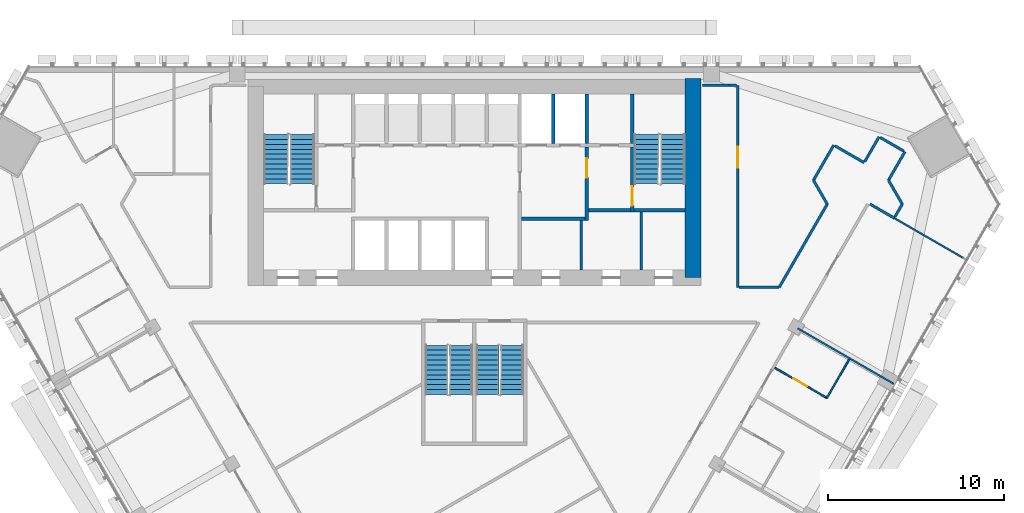
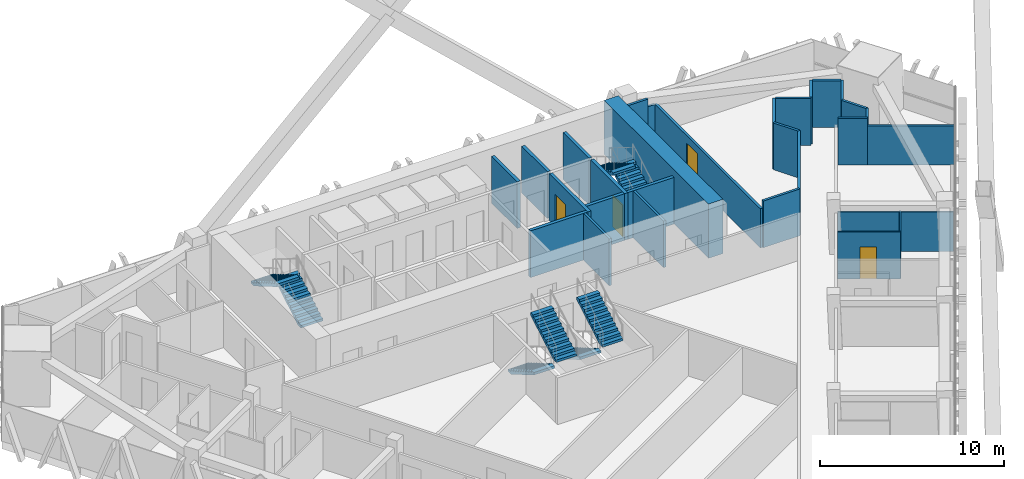
# One storey, part 15 of 19: 29 walls, 8 stair flights, 4 doors, 4 openings, 4 elements without a shape of their own.
"""IFC4 building model written with IfcOpenShell, lengths in metres."""

from ifc_helpers import new_model, si_unit, direction, frame, frame_2d, origin, place, context, subcontext, project, spatial, polyline, rectangle, outline, extrude, material, layer, layer_set, type_object, element, fill, aggregate, save


model = new_model("IFC4")

# Units and contexts
model_context = context("Model", 3, precision=1e-05, world=origin(), true_north=direction((0.0, 1.0)))
body_context = subcontext(model_context, "Body", "Model", "MODEL_VIEW")
ifc_project = project(units=[si_unit("LENGTHUNIT", "METRE"), si_unit("AREAUNIT", "SQUARE_METRE"), si_unit("VOLUMEUNIT", "CUBIC_METRE"), si_unit("PLANEANGLEUNIT", "RADIAN"), si_unit("MASSUNIT", "GRAM", prefix="KILO")], contexts=[model_context])

# Site, building, storey
site_placement = place(None, origin())
site = spatial("IfcSite", under=ifc_project, at=site_placement, CompositionType="ELEMENT")
building_placement = place(site_placement, origin())
building = spatial("IfcBuilding", under=site, at=building_placement, Name="Altiplano Prism Tower", CompositionType="ELEMENT")
storey_placement = place(building_placement, frame((0.0, 0.0, 70.199951171875)))
storey = spatial("IfcBuildingStorey", under=building, at=storey_placement, Name="L17", CompositionType="ELEMENT", Elevation=70.199951171875)

# Walls
ifc_material_1 = material(Name="Concrete C70/85", Category="concrete")
ifc_layer_1 = layer(ifc_material_1, 0.89990234375)
ifc_layer_set_1 = layer_set([ifc_layer_1], Name="Concrete C70/85")
wall_type_1 = type_object("IfcWallType", Name="Core wall 900", PredefinedType="SHEAR", material=ifc_layer_set_1)
wall_1_placement = place(storey_placement, frame((97.449951171875, 92.949951171875, 0.0), z_axis=(0.0, 0.0, 1.0), x_axis=(0.0, 1.0, 0.0)))
element("IfcWall", 1, at=wall_1_placement, inside=storey, type_object=wall_type_1, Name="Core wall E L17", PredefinedType="SHEAR", context=body_context, shape_type="SweptSolid", body=[
    extrude(rectangle(XDim=11.35009765625, YDim=0.89990234375, at=frame_2d((5.675048828125, 0.0))), origin(), (0.0, 0.0, 1.0), 3.60009765625),
])
ifc_material_2 = material(Name="Plasterboard on steel stud", Category="steel")
ifc_layer_2 = layer(ifc_material_2, 0.10009765625)
ifc_layer_set_2 = layer_set([ifc_layer_2], Name="Plasterboard on steel stud")
wall_type_2 = type_object("IfcWallType", Name="Partition 100 unit", PredefinedType="PARTITIONING", material=ifc_layer_set_2)
wall_2_placement = place(storey_placement, frame((106.353515625, 88.310546875, 0.0), z_axis=(0.0, 0.0, 1.0), x_axis=(-0.499990435942, -0.866030925526, 0.0)))
element("IfcWall", 2, at=wall_2_placement, inside=storey, type_object=wall_type_2, Name="Partition P02 L17 071", PredefinedType="PARTITIONING", context=body_context, shape_type="SweptSolid", body=[
    extrude(rectangle(XDim=2.5498046875, YDim=0.10009765625, at=frame_2d((1.27490234375, 0.0))), origin(), (0.0, 0.0, 1.0), 2.699951171875),
])

# Wall, opening, door
wall_3_placement = place(storey_placement, frame((105.07861328125, 86.102294921875, 0.0), z_axis=(0.0, 0.0, 1.0), x_axis=(-0.866032454348, 0.499987787867, 0.0)))
wall_3 = element("IfcWall", 3, at=wall_3_placement, inside=storey, type_object=wall_type_2, Name="Partition P02 L17 072", PredefinedType="PARTITIONING", context=body_context, shape_type="SweptSolid", body=[
    extrude(rectangle(XDim=3.4248046875, YDim=0.10009765625, at=frame_2d((1.71240234375, 0.0))), origin(), (0.0, 0.0, 1.0), 3.10009765625),
])
opening_1_placement = place(wall_3_placement, frame((1.300048828125, 0.0, 0.0)))
opening_1 = element("IfcOpeningElement", 4, at=opening_1_placement, cuts=wall_3, Name="Opening D0673", PredefinedType="OPENING", context=body_context, shape_type="SweptSolid", body=[
    extrude(rectangle(XDim=0.89990234375, YDim=2.10009765625, at=frame_2d((0.449951171875, 1.050048828125))), frame((0.0, 0.060546875, 0.0), z_axis=(0.0, -1.0, 0.0), x_axis=(1.0, 0.0, 0.0)), (0.0, 0.0, 1.0), 0.12109375),
])
ifc_material_3 = material(Name="Timber", Category="wood")
door_type_1 = type_object("IfcDoorType", Name="Accessible ensuite door 900 x 2100", OperationType="NOTDEFINED", PredefinedType="NOTDEFINED", material=ifc_material_3)
door_1_placement = place(opening_1_placement, origin())
door_1 = element("IfcDoor", 5, at=door_1_placement, inside=storey, type_object=door_type_1, Name="Door D0673", OperationType="SINGLE_SWING_RIGHT", OverallHeight=2.10009765625, OverallWidth=0.89990234375, PredefinedType="NOTDEFINED", context=body_context, shape_type="SweptSolid", body=[
    extrude(rectangle(XDim=0.89990234375, YDim=2.10009765625, at=frame_2d((0.449951171875, 1.050048828125))), frame((0.0, 0.02490234375, 0.0), z_axis=(0.0, -1.0, 0.0), x_axis=(1.0, 0.0, 0.0)), (0.0, 0.0, 1.0), 0.050048828125),
])
fill(opening_1, door_1)

# Walls
ifc_layer_3 = layer(ifc_material_2, 0.10009765625)
ifc_layer_set_3 = layer_set([ifc_layer_3], Name="Plasterboard on steel stud")
wall_type_3 = type_object("IfcWallType", Name="Partition 100 wet", PredefinedType="PARTITIONING", material=ifc_layer_set_3)
wall_4_placement = place(storey_placement, frame((108.89013671875, 86.90380859375, 0.0), z_axis=(0.0, 0.0, 1.0), x_axis=(-0.866025537322, 0.499999768706, 0.0)))
element("IfcWall", 6, at=wall_4_placement, inside=storey, type_object=wall_type_3, Name="Partition P03 L17 073", PredefinedType="PARTITIONING", context=body_context, shape_type="SweptSolid", body=[
    extrude(rectangle(XDim=6.3251953125, YDim=0.10009765625, at=frame_2d((3.16259765625, 0.0))), origin(), (0.0, 0.0, 1.0), 2.60009765625),
])
wall_5_placement = place(storey_placement, frame((113.001708984375, 93.985107421875, 0.0), z_axis=(0.0, 0.0, 1.0), x_axis=(-0.866015897305, 0.500016465344, 0.0)))
element("IfcWall", 7, at=wall_5_placement, inside=storey, type_object=wall_type_3, Name="Partition P03 L17 074", PredefinedType="PARTITIONING", context=body_context, shape_type="SweptSolid", body=[
    extrude(rectangle(XDim=4.719970703125, YDim=0.10009765625, at=frame_2d((2.35986328125, 0.0))), origin(), (0.0, 0.0, 1.0), 2.60009765625),
])
ifc_layer_4 = layer(ifc_material_2, 0.14990234375)
ifc_layer_set_4 = layer_set([ifc_layer_4], Name="Plasterboard on steel stud")
wall_type_4 = type_object("IfcWallType", Name="Partition 150 corridor", PredefinedType="PARTITIONING", material=ifc_layer_set_4)
wall_6_placement = place(storey_placement, frame((107.5380859375, 97.1396484375, 0.0), z_axis=(0.0, 0.0, 1.0), x_axis=(0.866021328928, -0.500007057792, 0.0)))
element("IfcWall", 8, at=wall_6_placement, inside=storey, type_object=wall_type_4, Name="Partition P06 L17 013", PredefinedType="PARTITIONING", context=body_context, shape_type="SweptSolid", body=[
    extrude(rectangle(XDim=1.60888671875, YDim=0.14990234375, at=frame_2d((0.804443359375, 0.0))), origin(), (0.0, 0.0, 1.0), 3.10009765625),
])
wall_7_placement = place(storey_placement, frame((108.951416015625, 96.41015625, 0.0), z_axis=(0.0, 0.0, 1.0), x_axis=(0.499973348067, 0.866040790738, 0.0)))
element("IfcWall", 9, at=wall_7_placement, inside=storey, type_object=wall_type_4, Name="Partition P06 L17 016", PredefinedType="PARTITIONING", context=body_context, shape_type="SweptSolid", body=[
    extrude(rectangle(XDim=0.84228515625, YDim=0.14990234375, at=frame_2d((0.421142578125, 0.0))), origin(), (0.0, 0.0, 1.0), 3.10009765625),
])
wall_8_placement = place(storey_placement, frame((109.37255859375, 97.1396484375, 0.0), z_axis=(0.0, 0.0, 1.0), x_axis=(-0.500000501253, 0.866025114386, 0.0)))
element("IfcWall", 10, at=wall_8_placement, inside=storey, type_object=wall_type_4, Name="Partition P06 L17 017", PredefinedType="PARTITIONING", context=body_context, shape_type="SweptSolid", body=[
    extrude(rectangle(XDim=1.57080078125, YDim=0.14990234375, at=frame_2d((0.785400390625, 0.0))), origin(), (0.0, 0.0, 1.0), 3.10009765625),
])
wall_9_placement = place(storey_placement, frame((108.587158203125, 98.5, 0.0), z_axis=(0.0, 0.0, 1.0), x_axis=(0.499951854219, 0.86605319898, 0.0)))
element("IfcWall", 11, at=wall_9_placement, inside=storey, type_object=wall_type_4, Name="Partition P06 L17 018", PredefinedType="PARTITIONING", context=body_context, shape_type="SweptSolid", body=[
    extrude(rectangle(XDim=1.873291015625, YDim=0.14990234375, at=frame_2d((0.9365234375, 0.0))), origin(), (0.0, 0.0, 1.0), 3.10009765625),
])
wall_10_placement = place(storey_placement, frame((109.458740234375, 100.15966796875, 0.0), z_axis=(0.0, 0.0, 1.0), x_axis=(-0.865975732936, 0.500086022567, 0.0)))
element("IfcWall", 12, at=wall_10_placement, inside=storey, type_object=wall_type_4, Name="Partition P06 L17 019", PredefinedType="PARTITIONING", context=body_context, shape_type="SweptSolid", body=[
    extrude(rectangle(XDim=1.550048828125, YDim=0.14990234375, at=frame_2d((0.77490234375, 0.0))), origin(), (0.0, 0.0, 1.0), 3.10009765625),
])
wall_11_placement = place(storey_placement, frame((108.051513671875, 100.97216796875, 0.0), z_axis=(0.0, 0.0, 1.0), x_axis=(-0.500017246033, -0.866015446554, 0.0)))
element("IfcWall", 13, at=wall_11_placement, inside=storey, type_object=wall_type_4, Name="Partition P06 L17 020", PredefinedType="PARTITIONING", context=body_context, shape_type="SweptSolid", body=[
    extrude(rectangle(XDim=1.625, YDim=0.14990234375, at=frame_2d((0.8125, 0.0))), origin(), (0.0, 0.0, 1.0), 3.10009765625),
])
wall_12_placement = place(storey_placement, frame((107.201416015625, 99.5, 0.0), z_axis=(0.0, 0.0, 1.0), x_axis=(-0.866033512162, 0.499985955615, 0.0)))
element("IfcWall", 14, at=wall_12_placement, inside=storey, type_object=wall_type_4, Name="Partition P06 L17 021", PredefinedType="PARTITIONING", context=body_context, shape_type="SweptSolid", body=[
    extrude(rectangle(XDim=1.9248046875, YDim=0.14990234375, at=frame_2d((0.96240234375, 0.0))), origin(), (0.0, 0.0, 1.0), 3.10009765625),
])
wall_13_placement = place(storey_placement, frame((105.469482421875, 100.5, 0.0), z_axis=(0.0, 0.0, 1.0), x_axis=(-0.500027479704, -0.866009537788, 0.0)))
element("IfcWall", 15, at=wall_13_placement, inside=storey, type_object=wall_type_4, Name="Partition P06 L17 022", PredefinedType="PARTITIONING", context=body_context, shape_type="SweptSolid", body=[
    extrude(rectangle(XDim=2.309326171875, YDim=0.14990234375, at=frame_2d((1.15478515625, 0.0))), origin(), (0.0, 0.0, 1.0), 3.10009765625),
])
wall_14_placement = place(storey_placement, frame((104.314697265625, 98.5, 0.0), z_axis=(0.0, 0.0, 1.0), x_axis=(0.500000501253, -0.866025114386, 0.0)))
element("IfcWall", 16, at=wall_14_placement, inside=storey, type_object=wall_type_4, Name="Partition P06 L17 023", PredefinedType="PARTITIONING", context=body_context, shape_type="SweptSolid", body=[
    extrude(rectangle(XDim=1.57080078125, YDim=0.14990234375, at=frame_2d((0.785400390625, 0.0))), origin(), (0.0, 0.0, 1.0), 3.10009765625),
])
wall_15_placement = place(storey_placement, frame((105.10009765625, 97.1396484375, 0.0), z_axis=(0.0, 0.0, 1.0), x_axis=(-0.499977311951, -0.866038502339, 0.0)))
element("IfcWall", 17, at=wall_15_placement, inside=storey, type_object=wall_type_4, Name="Partition P06 L17 024", PredefinedType="PARTITIONING", context=body_context, shape_type="SweptSolid", body=[
    extrude(rectangle(XDim=5.472900390625, YDim=0.14990234375, at=frame_2d((2.736328125, 0.0))), origin(), (0.0, 0.0, 1.0), 3.10009765625),
])
wall_16_placement = place(storey_placement, frame((102.36376953125, 92.39990234375, 0.0), z_axis=(0.0, 0.0, 1.0), x_axis=(-1.0, 0.0, 0.0)))
element("IfcWall", 18, at=wall_16_placement, inside=storey, type_object=wall_type_4, Name="Partition P06 L17 025", PredefinedType="PARTITIONING", context=body_context, shape_type="SweptSolid", body=[
    extrude(rectangle(XDim=2.288818359375, YDim=0.14990234375, at=frame_2d((1.14453125, 0.0))), origin(), (0.0, 0.0, 1.0), 3.10009765625),
])

# Wall, opening, door
wall_17_placement = place(storey_placement, frame((100.0, 92.39990234375, 0.0), z_axis=(0.0, 0.0, 1.0), x_axis=(0.0, 1.0, 0.0)))
wall_17 = element("IfcWall", 19, at=wall_17_placement, inside=storey, type_object=wall_type_4, Name="Partition P06 L17 026", PredefinedType="PARTITIONING", context=body_context, shape_type="SweptSolid", body=[
    extrude(rectangle(XDim=11.5, YDim=0.14990234375, at=frame_2d((5.75, 0.0))), origin(), (0.0, 0.0, 1.0), 2.60009765625),
])
opening_2_placement = place(wall_17_placement, frame((6.81591796875, 0.0, 0.0)))
opening_2 = element("IfcOpeningElement", 20, at=opening_2_placement, cuts=wall_17, Name="Opening D0676", PredefinedType="OPENING", context=body_context, shape_type="SweptSolid", body=[
    extrude(rectangle(XDim=1.199951171875, YDim=2.10009765625, at=frame_2d((0.60009765625, 1.050048828125))), frame((0.0, 0.08544921875, 0.0), z_axis=(0.0, -1.0, 0.0), x_axis=(1.0, 0.0, 0.0)), (0.0, 0.0, 1.0), 0.1708984375),
])
door_type_2 = type_object("IfcDoorType", Name="Shared room door 1200 x 2100", OperationType="NOTDEFINED", PredefinedType="NOTDEFINED", material=ifc_material_3)
door_2_placement = place(opening_2_placement, origin())
door_2 = element("IfcDoor", 21, at=door_2_placement, inside=storey, type_object=door_type_2, Name="Door D0676", OperationType="SINGLE_SWING_RIGHT", OverallHeight=2.10009765625, OverallWidth=1.199951171875, PredefinedType="NOTDEFINED", context=body_context, shape_type="SweptSolid", body=[
    extrude(rectangle(XDim=1.199951171875, YDim=2.10009765625, at=frame_2d((0.60009765625, 1.050048828125))), frame((0.0, 0.02490234375, 0.0), z_axis=(0.0, -1.0, 0.0), x_axis=(1.0, 0.0, 0.0)), (0.0, 0.0, 1.0), 0.050048828125),
])
fill(opening_2, door_2)

# Walls
wall_18_placement = place(storey_placement, frame((99.925048828125, 103.89990234375, 0.0), z_axis=(0.0, 0.0, 1.0), x_axis=(-1.0, 0.0, 0.0)))
element("IfcWall", 22, at=wall_18_placement, inside=storey, type_object=wall_type_4, Name="Partition P06 L17 027", PredefinedType="PARTITIONING", context=body_context, shape_type="SweptSolid", body=[
    extrude(rectangle(XDim=0.43408203125, YDim=0.14990234375, at=frame_2d((0.217041015625, 0.0))), origin(), (0.0, 0.0, 1.0), 2.60009765625),
])
wall_19_placement = place(storey_placement, frame((99.490966796875, 103.89990234375, 0.0), z_axis=(0.0, 0.0, 1.0), x_axis=(-1.0, 0.0, 0.0)))
element("IfcWall", 23, at=wall_19_placement, inside=storey, type_object=wall_type_4, Name="Partition P06 L17 028", PredefinedType="PARTITIONING", context=body_context, shape_type="SweptSolid", body=[
    extrude(rectangle(XDim=1.490966796875, YDim=0.14990234375, at=frame_2d((0.74560546875, 0.0))), origin(), (0.0, 0.0, 1.0), 3.10009765625),
])
ifc_material_4 = material(Name="Fire-rated gypsum board partition")
ifc_layer_5 = layer(ifc_material_4, 0.14990234375)
ifc_layer_set_5 = layer_set([ifc_layer_5], Name="Fire-rated gypsum board partition")
wall_type_5 = type_object("IfcWallType", Name="Room partition 150", PredefinedType="PARTITIONING", material=ifc_layer_set_5)
wall_20_placement = place(storey_placement, frame((91.10009765625, 93.39990234375, 0.0), z_axis=(0.0, 0.0, 1.0), x_axis=(0.0, 1.0, 0.0)))
element("IfcWall", 24, at=wall_20_placement, inside=storey, type_object=wall_type_5, Name="Room partition L17", PredefinedType="PARTITIONING", context=body_context, shape_type="SweptSolid", body=[
    extrude(rectangle(XDim=2.800048828125, YDim=0.14990234375, at=frame_2d((1.39990234375, 0.0))), origin(), (0.0, 0.0, 1.0), 3.10009765625),
])
wall_21_placement = place(storey_placement, frame((94.5, 93.39990234375, 0.0), z_axis=(0.0, 0.0, 1.0), x_axis=(0.0, 1.0, 0.0)))
element("IfcWall", 25, at=wall_21_placement, inside=storey, type_object=wall_type_5, Name="Room partition L17", PredefinedType="PARTITIONING", context=body_context, shape_type="SweptSolid", body=[
    extrude(rectangle(XDim=3.300048828125, YDim=0.14990234375, at=frame_2d((1.64990234375, 0.0))), origin(), (0.0, 0.0, 1.0), 3.10009765625),
])
ifc_material_5 = material(Name="Concrete C60/75", Category="concrete")
ifc_layer_6 = layer(ifc_material_5, 0.199951171875)
ifc_layer_set_6 = layer_set([ifc_layer_6], Name="Concrete C60/75")
wall_type_6 = type_object("IfcWallType", Name="Shaft wall 200", PredefinedType="SOLIDWALL", material=ifc_layer_set_6)
for number, where, z_axis, x_axis, name in (
    (26, (89.5, 100.60009765625, 0.0), (0.0, 0.0, 1.0), (0.0, 1.0, 0.0), "Shaft wall L17"),
    (27, (91.39990234375, 100.60009765625, 0.0), (0.0, 0.0, 1.0), (0.0, 1.0, 0.0), "Shaft wall L17"),
):
    element("IfcWall", number, at=place(storey_placement, frame(where, z_axis=z_axis, x_axis=x_axis)), inside=storey, type_object=wall_type_6, Name=name, PredefinedType="SOLIDWALL", context=body_context, shape_type="SweptSolid", body=[
        extrude(rectangle(XDim=2.7998046875, YDim=0.199951171875, at=frame_2d((1.39990234375, 0.0))), origin(), (0.0, 0.0, 1.0), 3.10009765625),
    ])

# Wall, opening, door
ifc_layer_7 = layer(ifc_material_5, 0.199951171875)
ifc_layer_set_7 = layer_set([ifc_layer_7], Name="Concrete C60/75")
wall_type_7 = type_object("IfcWallType", Name="Stair wall 200", PredefinedType="SOLIDWALL", material=ifc_layer_set_7)
wall_22_placement = place(storey_placement, frame((94.0, 96.699951171875, 0.0), z_axis=(0.0, 0.0, 1.0), x_axis=(0.0, 1.0, 0.0)))
wall_22 = element("IfcWall", 28, at=wall_22_placement, inside=storey, type_object=wall_type_7, Name="Stair wall L17", PredefinedType="SOLIDWALL", context=body_context, shape_type="SweptSolid", body=[
    extrude(rectangle(XDim=3.699951171875, YDim=0.199951171875, at=frame_2d((1.85009765625, 0.0))), origin(), (0.0, 0.0, 1.0), 3.10009765625),
])
opening_3_placement = place(wall_22_placement, frame((0.35009765625, 0.0, 0.0)))
opening_3 = element("IfcOpeningElement", 29, at=opening_3_placement, cuts=wall_22, Name="Opening D2815", PredefinedType="OPENING", context=body_context, shape_type="SweptSolid", body=[
    extrude(rectangle(XDim=1.10009765625, YDim=2.10009765625, at=frame_2d((0.550048828125, 1.050048828125))), frame((0.0, 0.1103515625, 0.0), z_axis=(0.0, -1.0, 0.0), x_axis=(1.0, 0.0, 0.0)), (0.0, 0.0, 1.0), 0.220947265625),
])
ifc_material_6 = material(Name="Fire-rated steel door", Category="steel")
door_type_3 = type_object("IfcDoorType", Name="Stair fire door 1100 x 2100", OperationType="NOTDEFINED", PredefinedType="NOTDEFINED", material=ifc_material_6)
door_3_placement = place(opening_3_placement, origin())
door_3 = element("IfcDoor", 30, at=door_3_placement, inside=storey, type_object=door_type_3, Name="Stair fire door D2815", OperationType="SINGLE_SWING_LEFT", OverallHeight=2.10009765625, OverallWidth=1.10009765625, PredefinedType="NOTDEFINED", context=body_context, shape_type="SweptSolid", body=[
    extrude(rectangle(XDim=1.10009765625, YDim=2.10009765625, at=frame_2d((0.550048828125, 1.050048828125))), frame((0.0, 0.02490234375, 0.0), z_axis=(0.0, -1.0, 0.0), x_axis=(1.0, 0.0, 0.0)), (0.0, 0.0, 1.0), 0.050048828125),
])
fill(opening_3, door_3)

# Walls
wall_23_placement = place(storey_placement, frame((94.10009765625, 96.800048828125, 0.0), z_axis=(0.0, 0.0, 1.0), x_axis=(1.0, 0.0, 0.0)))
element("IfcWall", 31, at=wall_23_placement, inside=storey, type_object=wall_type_7, Name="Stair wall L17", PredefinedType="SOLIDWALL", context=body_context, shape_type="SweptSolid", body=[
    extrude(rectangle(XDim=2.89990234375, YDim=0.199951171875, at=frame_2d((1.449951171875, 0.0))), origin(), (0.0, 0.0, 1.0), 3.10009765625),
])
wall_24_placement = place(storey_placement, frame((94.0, 100.60009765625, 0.0), z_axis=(0.0, 0.0, 1.0), x_axis=(0.0, 1.0, 0.0)))
element("IfcWall", 32, at=wall_24_placement, inside=storey, type_object=wall_type_7, Name="Stair wall L17", PredefinedType="SOLIDWALL", context=body_context, shape_type="SweptSolid", body=[
    extrude(rectangle(XDim=2.7998046875, YDim=0.199951171875, at=frame_2d((1.39990234375, 0.0))), origin(), (0.0, 0.0, 1.0), 3.10009765625),
])
ifc_layer_8 = layer(ifc_material_5, 0.199951171875)
ifc_layer_set_8 = layer_set([ifc_layer_8], Name="Concrete C60/75")
wall_type_8 = type_object("IfcWallType", Name="Vestibule wall 200", PredefinedType="PARTITIONING", material=ifc_layer_set_8)
wall_25_placement = place(storey_placement, frame((87.699951171875, 96.300048828125, 0.0), z_axis=(0.0, 0.0, 1.0), x_axis=(1.0, 0.0, 0.0)))
element("IfcWall", 33, at=wall_25_placement, inside=storey, type_object=wall_type_8, Name="Vestibule wall L17", PredefinedType="PARTITIONING", context=body_context, shape_type="SweptSolid", body=[
    extrude(rectangle(XDim=3.60009765625, YDim=0.199951171875, at=frame_2d((1.800048828125, 0.0))), origin(), (0.0, 0.0, 1.0), 3.10009765625),
])

# Wall, opening, door
wall_26_placement = place(storey_placement, frame((91.39990234375, 96.199951171875, 0.0), z_axis=(0.0, 0.0, 1.0), x_axis=(0.0, 1.0, 0.0)))
wall_26 = element("IfcWall", 34, at=wall_26_placement, inside=storey, type_object=wall_type_8, Name="Vestibule wall L17", PredefinedType="PARTITIONING", context=body_context, shape_type="SweptSolid", body=[
    extrude(rectangle(XDim=4.199951171875, YDim=0.199951171875, at=frame_2d((2.10009765625, 0.0))), origin(), (0.0, 0.0, 1.0), 3.10009765625),
])
opening_4_placement = place(wall_26_placement, frame((2.449951171875, 0.0, 0.0)))
opening_4 = element("IfcOpeningElement", 35, at=opening_4_placement, cuts=wall_26, Name="Opening D2818", PredefinedType="OPENING", context=body_context, shape_type="SweptSolid", body=[
    extrude(rectangle(XDim=1.10009765625, YDim=2.10009765625, at=frame_2d((0.550048828125, 1.050048828125))), frame((0.0, 0.1103515625, 0.0), z_axis=(0.0, -1.0, 0.0), x_axis=(1.0, 0.0, 0.0)), (0.0, 0.0, 1.0), 0.220947265625),
])
door_type_4 = type_object("IfcDoorType", Name="Vestibule fire door 1100 x 2100", OperationType="NOTDEFINED", PredefinedType="NOTDEFINED", material=ifc_material_6)
door_4_placement = place(opening_4_placement, origin())
door_4 = element("IfcDoor", 36, at=door_4_placement, inside=storey, type_object=door_type_4, Name="Vestibule fire door D2818", OperationType="SINGLE_SWING_LEFT", OverallHeight=2.10009765625, OverallWidth=1.10009765625, PredefinedType="NOTDEFINED", context=body_context, shape_type="SweptSolid", body=[
    extrude(rectangle(XDim=1.10009765625, YDim=2.10009765625, at=frame_2d((0.550048828125, 1.050048828125))), frame((0.0, 0.02490234375, 0.0), z_axis=(0.0, -1.0, 0.0), x_axis=(1.0, 0.0, 0.0)), (0.0, 0.0, 1.0), 0.050048828125),
])
fill(opening_4, door_4)

# Wall
wall_27_placement = place(storey_placement, frame((91.5, 96.800048828125, 0.0), z_axis=(0.0, 0.0, 1.0), x_axis=(1.0, 0.0, 0.0)))
element("IfcWall", 37, at=wall_27_placement, inside=storey, type_object=wall_type_8, Name="Vestibule wall L17", PredefinedType="PARTITIONING", context=body_context, shape_type="SweptSolid", body=[
    extrude(rectangle(XDim=2.39990234375, YDim=0.199951171875, at=frame_2d((1.199951171875, 0.0))), origin(), (0.0, 0.0, 1.0), 3.10009765625),
])

# Stair, stair flights
ifc_material_7 = material(Name="Concrete C40/50", Category="concrete")
stair_type_1 = type_object("IfcStairType", Name="Exit stair 1400", PredefinedType="HALF_TURN_STAIR", material=ifc_material_7)
stair_1_placement = place(storey_placement, origin())
stair_1 = element("IfcStair", 38, at=stair_1_placement, inside=storey, type_object=stair_type_1, Name="L17 Exit Stair 1", PredefinedType="HALF_TURN_STAIR")
stair_flight_type = type_object("IfcStairFlightType", Name="Stair flight concrete 150", PredefinedType="STRAIGHT", material=ifc_material_7)
stair_flight_1_placement = place(storey_placement, frame((75.199951171875, 98.300048828125, 0.0), z_axis=(0.0, 0.0, 1.0), x_axis=(0.0, 1.0, 0.0)))
stair_flight_1 = element("IfcStairFlight", 39, at=stair_flight_1_placement, type_object=stair_flight_type, Name="ST1 flight 1", NumberOfRisers=11, NumberOfTreads=10, PredefinedType="STRAIGHT", RiserHeight=0.163636364, TreadLength=0.28, context=body_context, shape_type="SweptSolid", body=[
    extrude(outline(polyline([(0.0, 0.0), (0.0, 0.16357421875), (0.280029296875, 0.16357421875), (0.280029296875, 0.327392578125), (0.56005859375, 0.327392578125), (0.56005859375, 0.490966796875), (0.840087890625, 0.490966796875), (0.840087890625, 0.654541015625), (1.1201171875, 0.654541015625), (1.1201171875, 0.818115234375), (1.39990234375, 0.818115234375), (1.39990234375, 0.98193359375), (1.679931640625, 0.98193359375), (1.679931640625, 1.1455078125), (1.9599609375, 1.1455078125), (1.9599609375, 1.30908203125), (2.239990234375, 1.30908203125), (2.239990234375, 1.47265625), (2.52001953125, 1.47265625), (2.52001953125, 1.636474609375), (2.800048828125, 1.636474609375), (2.800048828125, 1.800048828125), (2.800048828125, 1.462646484375), (0.297119140625, 0.0), (0.0, 0.0)])), frame((0.0, 0.699951171875, 0.0), z_axis=(0.0, -1.0, 0.0), x_axis=(1.0, 0.0, 0.0)), (0.0, 0.0, 1.0), 1.39990234375),
])
stair_flight_2_placement = place(storey_placement, frame((73.699951171875, 101.10009765625, 1.800048828125), z_axis=(0.0, 0.0, 1.0), x_axis=(0.0, -1.0, 0.0)))
stair_flight_2 = element("IfcStairFlight", 40, at=stair_flight_2_placement, type_object=stair_flight_type, Name="ST1 flight 2", NumberOfRisers=11, NumberOfTreads=10, PredefinedType="STRAIGHT", RiserHeight=0.163636364, TreadLength=0.28, context=body_context, shape_type="SweptSolid", body=[
    extrude(outline(polyline([(0.0, 0.0), (0.0, 0.16357421875), (0.280029296875, 0.16357421875), (0.280029296875, 0.327392578125), (0.56005859375, 0.327392578125), (0.56005859375, 0.490966796875), (0.840087890625, 0.490966796875), (0.840087890625, 0.654541015625), (1.1201171875, 0.654541015625), (1.1201171875, 0.818115234375), (1.39990234375, 0.818115234375), (1.39990234375, 0.98193359375), (1.679931640625, 0.98193359375), (1.679931640625, 1.1455078125), (1.9599609375, 1.1455078125), (1.9599609375, 1.30908203125), (2.239990234375, 1.30908203125), (2.239990234375, 1.47265625), (2.52001953125, 1.47265625), (2.52001953125, 1.636474609375), (2.800048828125, 1.636474609375), (2.800048828125, 1.800048828125), (2.800048828125, 1.462646484375), (0.297119140625, 0.0), (0.0, 0.0)])), frame((0.0, 0.699951171875, 0.0), z_axis=(0.0, -1.0, 0.0), x_axis=(1.0, 0.0, 0.0)), (0.0, 0.0, 1.0), 1.39990234375),
])
aggregate(stair_1, [stair_flight_1, stair_flight_2])

stair_2_placement = place(storey_placement, origin())
stair_2 = element("IfcStair", 41, at=stair_2_placement, inside=storey, type_object=stair_type_1, Name="L17 Exit Stair 2", PredefinedType="HALF_TURN_STAIR")
stair_flight_3_placement = place(storey_placement, frame((96.300048828125, 98.300048828125, 0.0), z_axis=(0.0, 0.0, 1.0), x_axis=(0.0, 1.0, 0.0)))
stair_flight_3 = element("IfcStairFlight", 42, at=stair_flight_3_placement, type_object=stair_flight_type, Name="ST2 flight 1", NumberOfRisers=11, NumberOfTreads=10, PredefinedType="STRAIGHT", RiserHeight=0.163636364, TreadLength=0.28, context=body_context, shape_type="SweptSolid", body=[
    extrude(outline(polyline([(0.0, 0.0), (0.0, 0.16357421875), (0.280029296875, 0.16357421875), (0.280029296875, 0.327392578125), (0.56005859375, 0.327392578125), (0.56005859375, 0.490966796875), (0.840087890625, 0.490966796875), (0.840087890625, 0.654541015625), (1.1201171875, 0.654541015625), (1.1201171875, 0.818115234375), (1.39990234375, 0.818115234375), (1.39990234375, 0.98193359375), (1.679931640625, 0.98193359375), (1.679931640625, 1.1455078125), (1.9599609375, 1.1455078125), (1.9599609375, 1.30908203125), (2.239990234375, 1.30908203125), (2.239990234375, 1.47265625), (2.52001953125, 1.47265625), (2.52001953125, 1.636474609375), (2.800048828125, 1.636474609375), (2.800048828125, 1.800048828125), (2.800048828125, 1.462646484375), (0.297119140625, 0.0), (0.0, 0.0)])), frame((0.0, 0.699951171875, 0.0), z_axis=(0.0, -1.0, 0.0), x_axis=(1.0, 0.0, 0.0)), (0.0, 0.0, 1.0), 1.39990234375),
])
stair_flight_4_placement = place(storey_placement, frame((94.800048828125, 101.10009765625, 1.800048828125), z_axis=(0.0, 0.0, 1.0), x_axis=(0.0, -1.0, 0.0)))
stair_flight_4 = element("IfcStairFlight", 43, at=stair_flight_4_placement, type_object=stair_flight_type, Name="ST2 flight 2", NumberOfRisers=11, NumberOfTreads=10, PredefinedType="STRAIGHT", RiserHeight=0.163636364, TreadLength=0.28, context=body_context, shape_type="SweptSolid", body=[
    extrude(outline(polyline([(0.0, 0.0), (0.0, 0.16357421875), (0.280029296875, 0.16357421875), (0.280029296875, 0.327392578125), (0.56005859375, 0.327392578125), (0.56005859375, 0.490966796875), (0.840087890625, 0.490966796875), (0.840087890625, 0.654541015625), (1.1201171875, 0.654541015625), (1.1201171875, 0.818115234375), (1.39990234375, 0.818115234375), (1.39990234375, 0.98193359375), (1.679931640625, 0.98193359375), (1.679931640625, 1.1455078125), (1.9599609375, 1.1455078125), (1.9599609375, 1.30908203125), (2.239990234375, 1.30908203125), (2.239990234375, 1.47265625), (2.52001953125, 1.47265625), (2.52001953125, 1.636474609375), (2.800048828125, 1.636474609375), (2.800048828125, 1.800048828125), (2.800048828125, 1.462646484375), (0.297119140625, 0.0), (0.0, 0.0)])), frame((0.0, 0.699951171875, 0.0), z_axis=(0.0, -1.0, 0.0), x_axis=(1.0, 0.0, 0.0)), (0.0, 0.0, 1.0), 1.39990234375),
])
aggregate(stair_2, [stair_flight_3, stair_flight_4])

stair_type_2 = type_object("IfcStairType", Name="Exit stair 1300", PredefinedType="HALF_TURN_STAIR", material=ifc_material_7)
stair_3_placement = place(storey_placement, origin())
stair_3 = element("IfcStair", 44, at=stair_3_placement, inside=storey, type_object=stair_type_2, Name="L17 Exit Stair 3A", PredefinedType="HALF_TURN_STAIR")
stair_flight_5_placement = place(storey_placement, frame((82.85009765625, 89.10009765625, 0.0), z_axis=(0.0, 0.0, 1.0), x_axis=(0.0, -1.0, 0.0)))
stair_flight_5 = element("IfcStairFlight", 45, at=stair_flight_5_placement, type_object=stair_flight_type, Name="ST3A flight 1", NumberOfRisers=11, NumberOfTreads=10, PredefinedType="STRAIGHT", RiserHeight=0.163636364, TreadLength=0.28, context=body_context, shape_type="SweptSolid", body=[
    extrude(outline(polyline([(0.0, 0.0), (0.0, 0.16357421875), (0.280029296875, 0.16357421875), (0.280029296875, 0.327392578125), (0.56005859375, 0.327392578125), (0.56005859375, 0.490966796875), (0.840087890625, 0.490966796875), (0.840087890625, 0.654541015625), (1.1201171875, 0.654541015625), (1.1201171875, 0.818115234375), (1.39990234375, 0.818115234375), (1.39990234375, 0.98193359375), (1.679931640625, 0.98193359375), (1.679931640625, 1.1455078125), (1.9599609375, 1.1455078125), (1.9599609375, 1.30908203125), (2.239990234375, 1.30908203125), (2.239990234375, 1.47265625), (2.52001953125, 1.47265625), (2.52001953125, 1.636474609375), (2.800048828125, 1.636474609375), (2.800048828125, 1.800048828125), (2.800048828125, 1.462646484375), (0.297119140625, 0.0), (0.0, 0.0)])), frame((0.0, 0.64990234375, 0.0), z_axis=(0.0, -1.0, 0.0), x_axis=(1.0, 0.0, 0.0)), (0.0, 0.0, 1.0), 1.300048828125),
])
stair_flight_6_placement = place(storey_placement, frame((84.25, 86.300048828125, 1.800048828125), z_axis=(0.0, 0.0, 1.0), x_axis=(0.0, 1.0, 0.0)))
stair_flight_6 = element("IfcStairFlight", 46, at=stair_flight_6_placement, type_object=stair_flight_type, Name="ST3A flight 2", NumberOfRisers=11, NumberOfTreads=10, PredefinedType="STRAIGHT", RiserHeight=0.163636364, TreadLength=0.28, context=body_context, shape_type="SweptSolid", body=[
    extrude(outline(polyline([(0.0, 0.0), (0.0, 0.16357421875), (0.280029296875, 0.16357421875), (0.280029296875, 0.327392578125), (0.56005859375, 0.327392578125), (0.56005859375, 0.490966796875), (0.840087890625, 0.490966796875), (0.840087890625, 0.654541015625), (1.1201171875, 0.654541015625), (1.1201171875, 0.818115234375), (1.39990234375, 0.818115234375), (1.39990234375, 0.98193359375), (1.679931640625, 0.98193359375), (1.679931640625, 1.1455078125), (1.9599609375, 1.1455078125), (1.9599609375, 1.30908203125), (2.239990234375, 1.30908203125), (2.239990234375, 1.47265625), (2.52001953125, 1.47265625), (2.52001953125, 1.636474609375), (2.800048828125, 1.636474609375), (2.800048828125, 1.800048828125), (2.800048828125, 1.462646484375), (0.297119140625, 0.0), (0.0, 0.0)])), frame((0.0, 0.64990234375, 0.0), z_axis=(0.0, -1.0, 0.0), x_axis=(1.0, 0.0, 0.0)), (0.0, 0.0, 1.0), 1.300048828125),
])
aggregate(stair_3, [stair_flight_5, stair_flight_6])

stair_4_placement = place(storey_placement, origin())
stair_4 = element("IfcStair", 47, at=stair_4_placement, inside=storey, type_object=stair_type_2, Name="L17 Exit Stair 3B", PredefinedType="HALF_TURN_STAIR")
stair_flight_7_placement = place(storey_placement, frame((85.75, 89.10009765625, 0.0), z_axis=(0.0, 0.0, 1.0), x_axis=(0.0, -1.0, 0.0)))
stair_flight_7 = element("IfcStairFlight", 48, at=stair_flight_7_placement, type_object=stair_flight_type, Name="ST3B flight 1", NumberOfRisers=11, NumberOfTreads=10, PredefinedType="STRAIGHT", RiserHeight=0.163636364, TreadLength=0.28, context=body_context, shape_type="SweptSolid", body=[
    extrude(outline(polyline([(0.0, 0.0), (0.0, 0.16357421875), (0.280029296875, 0.16357421875), (0.280029296875, 0.327392578125), (0.56005859375, 0.327392578125), (0.56005859375, 0.490966796875), (0.840087890625, 0.490966796875), (0.840087890625, 0.654541015625), (1.1201171875, 0.654541015625), (1.1201171875, 0.818115234375), (1.39990234375, 0.818115234375), (1.39990234375, 0.98193359375), (1.679931640625, 0.98193359375), (1.679931640625, 1.1455078125), (1.9599609375, 1.1455078125), (1.9599609375, 1.30908203125), (2.239990234375, 1.30908203125), (2.239990234375, 1.47265625), (2.52001953125, 1.47265625), (2.52001953125, 1.636474609375), (2.800048828125, 1.636474609375), (2.800048828125, 1.800048828125), (2.800048828125, 1.462646484375), (0.297119140625, 0.0), (0.0, 0.0)])), frame((0.0, 0.64990234375, 0.0), z_axis=(0.0, -1.0, 0.0), x_axis=(1.0, 0.0, 0.0)), (0.0, 0.0, 1.0), 1.300048828125),
])
stair_flight_8_placement = place(storey_placement, frame((87.14990234375, 86.300048828125, 1.800048828125), z_axis=(0.0, 0.0, 1.0), x_axis=(0.0, 1.0, 0.0)))
stair_flight_8 = element("IfcStairFlight", 49, at=stair_flight_8_placement, type_object=stair_flight_type, Name="ST3B flight 2", NumberOfRisers=11, NumberOfTreads=10, PredefinedType="STRAIGHT", RiserHeight=0.163636364, TreadLength=0.28, context=body_context, shape_type="SweptSolid", body=[
    extrude(outline(polyline([(0.0, 0.0), (0.0, 0.16357421875), (0.280029296875, 0.16357421875), (0.280029296875, 0.327392578125), (0.56005859375, 0.327392578125), (0.56005859375, 0.490966796875), (0.840087890625, 0.490966796875), (0.840087890625, 0.654541015625), (1.1201171875, 0.654541015625), (1.1201171875, 0.818115234375), (1.39990234375, 0.818115234375), (1.39990234375, 0.98193359375), (1.679931640625, 0.98193359375), (1.679931640625, 1.1455078125), (1.9599609375, 1.1455078125), (1.9599609375, 1.30908203125), (2.239990234375, 1.30908203125), (2.239990234375, 1.47265625), (2.52001953125, 1.47265625), (2.52001953125, 1.636474609375), (2.800048828125, 1.636474609375), (2.800048828125, 1.800048828125), (2.800048828125, 1.462646484375), (0.297119140625, 0.0), (0.0, 0.0)])), frame((0.0, 0.64990234375, 0.0), z_axis=(0.0, -1.0, 0.0), x_axis=(1.0, 0.0, 0.0)), (0.0, 0.0, 1.0), 1.300048828125),
])
aggregate(stair_4, [stair_flight_7, stair_flight_8])

save(model, "model.ifc")
